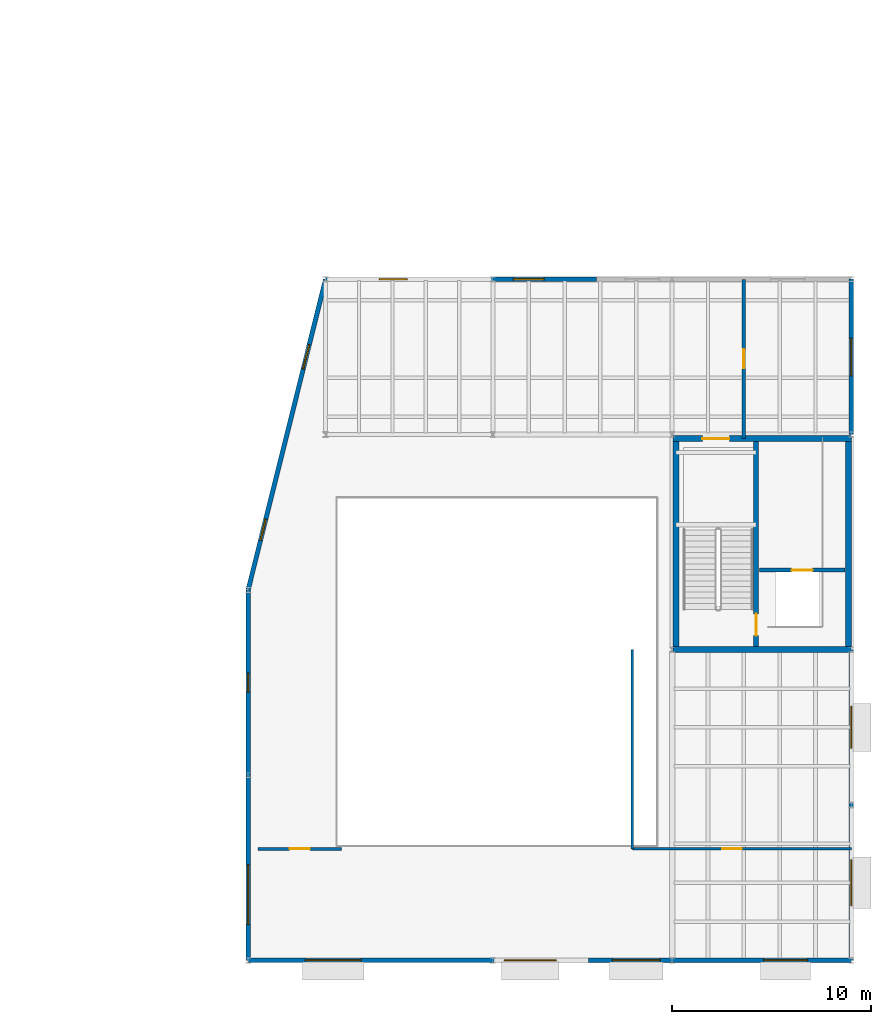
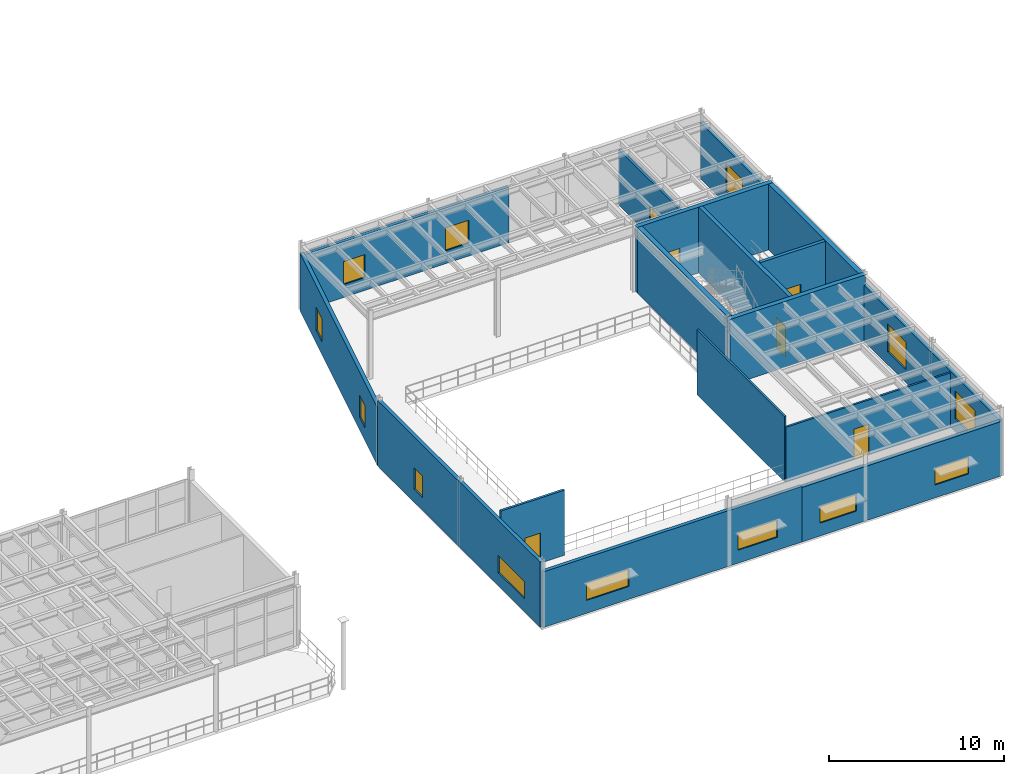
# One storey, part 91 of 105: 17 walls, 13 windows, 6 doors, 19 openings.
"""IFC4 building model written with IfcOpenShell, lengths in metres."""

import ifcopenshell
import ifcopenshell.guid

model = None  # the IFC model being written
_history = None  # IfcOwnerHistory: only IFC2X3 demands one
_inside = {}  # id of a spatial element -> (the spatial element, [elements in it])
_under = {}  # id of a project, library or spatial element -> (it, [spatial elements below it])
_declared = {}  # id of a project -> (the project, [libraries it declares])
_typed = {}  # id of a type object -> (the type object, [elements of that type])
_made_of = {}  # id of a material, layer set ... -> (it, [elements and type objects made of it])


def new_model(schema):
    """Start an empty IFC model of exactly this schema.

    Asked for "IFC4X3", IfcOpenShell would pick the latest addendum, in which some entities
    have other attributes; the version numbers below select the first issue.
    IFC2X3 requires an IfcOwnerHistory on every rooted entity: one is made here for all.
    """
    global model, _history
    if schema == "IFC4X3":
        model = ifcopenshell.file(schema_version=(4, 3, 0, 0))
    else:
        model = ifcopenshell.file(schema=schema)
    _inside.clear()
    _under.clear()
    _declared.clear()
    _typed.clear()
    _made_of.clear()
    _history = None
    if model.schema == "IFC2X3":
        org = make("IfcOrganization", Name="unknown")
        user = make(
            "IfcPersonAndOrganization",
            ThePerson=make("IfcPerson", FamilyName="unknown"),
            TheOrganization=org,
        )
        app = make(
            "IfcApplication",
            ApplicationDeveloper=org,
            Version="unknown",
            ApplicationFullName="unknown",
            ApplicationIdentifier="unknown",
        )
        _history = make(
            "IfcOwnerHistory",
            OwningUser=user,
            OwningApplication=app,
            ChangeAction="ADDED",
            CreationDate=0,
        )
    return model


def make(cls, **values):
    """One entity of the class cls with the attributes given. An attribute that is None is left unset."""
    return model.create_entity(
        cls, **{name: value for name, value in values.items() if value is not None}
    )


def rooted(cls, **values):
    """An entity with a GlobalId (a new one), such as an element, a storey or a relation."""
    return make(cls, GlobalId=ifcopenshell.guid.new(), OwnerHistory=_history, **values)


def si_unit(unit_type, name, prefix=None):
    """IfcSIUnit, for example si_unit("LENGTHUNIT", "METRE", prefix="MILLI")."""
    return make("IfcSIUnit", UnitType=unit_type, Prefix=prefix, Name=name)


def assignment(units):
    """IfcUnitAssignment: the units of a project."""
    return None if units is None else make("IfcUnitAssignment", Units=units)


def point(xyz):
    """IfcCartesianPoint."""
    return None if xyz is None else make("IfcCartesianPoint", Coordinates=xyz)


def direction(xyz):
    """IfcDirection."""
    return None if xyz is None else make("IfcDirection", DirectionRatios=xyz)


def frame(location, z_axis=None, x_axis=None):
    """IfcAxis2Placement3D, a coordinate frame: its origin and axes. An axis left out is left unset."""
    return make(
        "IfcAxis2Placement3D",
        Location=point(location),
        Axis=direction(z_axis),
        RefDirection=direction(x_axis),
    )


def frame_2d(location, x_axis=None):
    """IfcAxis2Placement2D, a coordinate frame in the plane: its origin and x axis."""
    return make(
        "IfcAxis2Placement2D", Location=point(location), RefDirection=direction(x_axis)
    )


def origin():
    """The frame at (0, 0, 0) with its axes left unset."""
    return frame((0.0, 0.0, 0.0))


def place(relative_to, where):
    """IfcLocalPlacement: puts the frame where relative to a parent placement (None: the world)."""
    return make(
        "IfcLocalPlacement", PlacementRelTo=relative_to, RelativePlacement=where
    )


def context(
    kind, dimensions, precision=None, world=None, true_north=None, identifier=None
):
    """IfcGeometricRepresentationContext, for example the 3D "Model" context."""
    return make(
        "IfcGeometricRepresentationContext",
        ContextIdentifier=identifier,
        ContextType=kind,
        CoordinateSpaceDimension=dimensions,
        Precision=precision,
        WorldCoordinateSystem=world,
        TrueNorth=true_north,
    )


def subcontext(parent, identifier, kind, view, scale=None):
    """IfcGeometricRepresentationSubContext, for example "Body" below "Model"."""
    return make(
        "IfcGeometricRepresentationSubContext",
        ContextIdentifier=identifier,
        ContextType=kind,
        ParentContext=parent,
        TargetScale=scale,
        TargetView=view,
    )


def project(units=None, contexts=None):
    """IfcProject with its units and contexts."""
    return rooted(
        "IfcProject",
        Name="project",
        RepresentationContexts=contexts,
        UnitsInContext=assignment(units),
    )


def spatial(cls, under=None, at=None, **own):
    """A site, building, storey or space (cls), placed at a placement, below another one or the project."""
    s = rooted(cls, ObjectPlacement=at, **own)
    if under is not None:
        _under.setdefault(under.id(), (under, []))[1].append(s)
    return s


def profile(cls, at=None, kind="AREA", **sizes):
    """A parametric profile (cls). Its sizes go by their IFC names, for example OverallWidth=200.0."""
    return make(cls, ProfileType=kind, Position=at, **sizes)


def rectangle(**sizes):
    """IfcRectangleProfileDef."""
    return profile("IfcRectangleProfileDef", **sizes)


def extrude(swept, where, along, depth):
    """IfcExtrudedAreaSolid: the profile swept, set in the frame where, extruded along a direction by depth."""
    return make(
        "IfcExtrudedAreaSolid",
        SweptArea=swept,
        Position=where,
        ExtrudedDirection=direction(along),
        Depth=depth,
    )


def shape(context_of_items, identifier, shape_type, items):
    """IfcShapeRepresentation: the items that make up one representation, for example the "Body"."""
    return make(
        "IfcShapeRepresentation",
        ContextOfItems=context_of_items,
        RepresentationIdentifier=identifier,
        RepresentationType=shape_type,
        Items=items,
    )


def material(Name=None, Category=None):
    """IfcMaterial."""
    return make("IfcMaterial", Name=Name, Category=Category)


def layer(
    of_material, thickness, ventilated=None, Name=None, Category=None, Priority=None
):
    """IfcMaterialLayer: one layer of a wall or slab, of a material (None: an air gap)."""
    return make(
        "IfcMaterialLayer",
        Material=of_material,
        LayerThickness=thickness,
        IsVentilated=ventilated,
        Name=Name,
        Category=Category,
        Priority=Priority,
    )


def layer_set(layers, Name=None):
    """IfcMaterialLayerSet."""
    return make("IfcMaterialLayerSet", MaterialLayers=layers, LayerSetName=Name)


def made_of(thing, what):
    """Note that an element or type object is made of a material, layer set ...; save() writes the relation."""
    if what is not None:
        _made_of.setdefault(what.id(), (what, []))[1].append(thing)
    return thing


def type_object(cls, material=None, **own):
    """A type object (cls), such as IfcWallType, which elements share."""
    return made_of(rooted(cls, **own), material)


def element(
    cls,
    number,
    at=None,
    inside=None,
    cuts=None,
    type_object=None,
    material=None,
    context=None,
    identifier="Body",
    shape_type=None,
    held_by="IfcProductDefinitionShape",
    body=None,
    shapes=None,
    **own,
):
    """One element of the class cls, such as IfcWall. Its Tag is "e" and its number.

    at: its placement. inside: the storey or other place that contains it. cuts: it is an
    opening in that element (IfcRelVoidsElement). A single representation is given by context,
    identifier, shape_type and body (its items); several are given by shapes. held_by: the class
    of the entity that holds the representations. save() writes the other relations.
    """
    e = rooted(cls, Tag="e%d" % number, ObjectPlacement=at, **own)
    if body is not None:
        shapes = [shape(context, identifier, shape_type, body)]
    if shapes is not None:
        e.Representation = make(held_by, Representations=shapes)
    if inside is not None:
        _inside.setdefault(inside.id(), (inside, []))[1].append(e)
    if cuts is not None:
        rooted(
            "IfcRelVoidsElement", RelatingBuildingElement=cuts, RelatedOpeningElement=e
        )
    if type_object is not None:
        _typed.setdefault(type_object.id(), (type_object, []))[1].append(e)
    return made_of(e, material)


def fill(opening, filler):
    """IfcRelFillsElement: the door or window that sits in an opening."""
    return rooted(
        "IfcRelFillsElement",
        RelatingOpeningElement=opening,
        RelatedBuildingElement=filler,
    )


def aggregate(whole, parts):
    """IfcRelAggregates: a whole, such as a stair, and the parts it consists of."""
    return rooted("IfcRelAggregates", RelatingObject=whole, RelatedObjects=parts)


def save(model, path):
    """Write the relations noted so far, then the file.

    IfcRelAggregates (storeys below a building ...), IfcRelContainedInSpatialStructure (elements
    in a storey), IfcRelDefinesByType, IfcRelAssociatesMaterial and IfcRelDeclares: one each for
    every whole, place, type object, material and project.
    """
    for whole, parts in _under.values():
        aggregate(whole, parts)
    for where, things in _inside.values():
        rooted(
            "IfcRelContainedInSpatialStructure",
            RelatedElements=things,
            RelatingStructure=where,
        )
    for kind, things in _typed.values():
        rooted("IfcRelDefinesByType", RelatedObjects=things, RelatingType=kind)
    for what, things in _made_of.values():
        rooted("IfcRelAssociatesMaterial", RelatedObjects=things, RelatingMaterial=what)
    for by, libraries in _declared.values():
        rooted("IfcRelDeclares", RelatingContext=by, RelatedDefinitions=libraries)
    model.write(path)


model = new_model("IFC4")

# Units and contexts
model_context = context("Model", 3, precision=1e-05, world=origin(), true_north=direction((0.0, 1.0)))
body_context = subcontext(model_context, "Body", "Model", "MODEL_VIEW")
ifc_project = project(units=[si_unit("LENGTHUNIT", "METRE"), si_unit("AREAUNIT", "SQUARE_METRE"), si_unit("VOLUMEUNIT", "CUBIC_METRE"), si_unit("PLANEANGLEUNIT", "RADIAN"), si_unit("MASSUNIT", "GRAM", prefix="KILO")], contexts=[model_context])

# Site, building, storey
site_placement = place(None, origin())
site = spatial("IfcSite", under=ifc_project, at=site_placement, CompositionType="ELEMENT")
building_placement = place(site_placement, origin())
building = spatial("IfcBuilding", under=site, at=building_placement, Name="Selat Folded Stagehouse", CompositionType="ELEMENT")
storey_placement = place(building_placement, frame((0.0, 0.0, 10.199951171875)))
storey = spatial("IfcBuildingStorey", under=building, at=storey_placement, Name="L02", CompositionType="ELEMENT", Elevation=10.199951171875)

# Wall, opening, door
ifc_material_1 = material(Name="Concrete C40/50", Category="concrete")
ifc_layer_1 = layer(ifc_material_1, 0.215087890625)
ifc_layer_set_1 = layer_set([ifc_layer_1], Name="Concrete C40/50")
wall_type_1 = type_object("IfcWallType", Name="WAL-COMP-215", PredefinedType="STANDARD", material=ifc_layer_set_1)
wall_1_placement = place(storey_placement, frame((156.179931640625, 19.60009765625, 0.0), z_axis=(0.0, 0.0, 1.0), x_axis=(1.0, 0.0, 0.0)))
wall_1 = element("IfcWall", 1, at=wall_1_placement, inside=storey, type_object=wall_type_1, Name="L02 PL-03 lift shaft front wall", PredefinedType="STANDARD", context=body_context, shape_type="SweptSolid", body=[
    extrude(rectangle(XDim=4.300048828125, YDim=0.215087890625, at=frame_2d((2.14990234375, 0.0))), origin(), (0.0, 0.0, 1.0), 4.592041015625),
])
opening_1_placement = place(wall_1_placement, frame((1.625, 0.0, 0.0)))
opening_1 = element("IfcOpeningElement", 2, at=opening_1_placement, cuts=wall_1, Name="Opening LD-03", PredefinedType="OPENING", context=body_context, shape_type="SweptSolid", body=[
    extrude(rectangle(XDim=1.050048828125, YDim=2.14990234375, at=frame_2d((0.52490234375, 1.074951171875))), frame((0.0, 0.117431640625, 0.0), z_axis=(0.0, -1.0, 0.0), x_axis=(1.0, 0.0, 0.0)), (0.0, 0.0, 1.0), 0.235107421875),
])
ifc_material_2 = material(Name="Passenger lift stainless sliding landing door", Category="wood")
door_type_1 = type_object("IfcDoorType", Name="DOR-LFT-1050", OperationType="NOTDEFINED", PredefinedType="DOOR", material=ifc_material_2)
door_1_placement = place(opening_1_placement, origin())
door_1 = element("IfcDoor", 3, at=door_1_placement, inside=storey, type_object=door_type_1, Name="L02 PL-03 lift sliding landing door", OperationType="SLIDING_TO_LEFT", OverallHeight=2.14990234375, OverallWidth=1.050048828125, PredefinedType="DOOR", context=body_context, shape_type="SweptSolid", body=[
    extrude(rectangle(XDim=1.050048828125, YDim=2.14990234375, at=frame_2d((0.52490234375, 1.074951171875))), frame((0.0, 0.02490234375, 0.0), z_axis=(0.0, -1.0, 0.0), x_axis=(1.0, 0.0, 0.0)), (0.0, 0.0, 1.0), 0.050048828125),
])
fill(opening_1, door_1)

ifc_material_3 = material(Name="Concrete C50/60", Category="concrete")
ifc_layer_2 = layer(ifc_material_3, 0.25)
ifc_layer_set_2 = layer_set([ifc_layer_2], Name="Concrete C50/60")
wall_type_2 = type_object("IfcWallType", Name="WAL-CORE-250", PredefinedType="SHEAR", material=ifc_layer_set_2)
wall_2_placement = place(storey_placement, frame((156.02001953125, 26.050048828125, 0.0), z_axis=(0.0, 0.0, 1.0), x_axis=(0.0, -1.0, 0.0)))
wall_2 = element("IfcWall", 4, at=wall_2_placement, inside=storey, type_object=wall_type_2, Name="L02 CR-4 internal core divider wall", PredefinedType="SHEAR", context=body_context, shape_type="SweptSolid", body=[
    extrude(rectangle(XDim=10.300048828125, YDim=0.25, at=frame_2d((5.14990234375, 0.0))), origin(), (0.0, 0.0, 1.0), 4.60009765625),
])
opening_2_placement = place(wall_2_placement, frame((8.64990234375, 0.0, 0.0)))
opening_2 = element("IfcOpeningElement", 5, at=opening_2_placement, cuts=wall_2, Name="Opening FD-60", PredefinedType="OPENING", context=body_context, shape_type="SweptSolid", body=[
    extrude(rectangle(XDim=1.10009765625, YDim=2.14990234375, at=frame_2d((0.550048828125, 1.074951171875))), frame((0.0, 0.135009765625, 0.0), z_axis=(0.0, -1.0, 0.0), x_axis=(1.0, 0.0, 0.0)), (0.0, 0.0, 1.0), 0.27001953125),
])
ifc_material_4 = material(Name="Fire-rated timber core door", Category="wood")
door_type_2 = type_object("IfcDoorType", Name="DOR-FIRE-60", OperationType="NOTDEFINED", PredefinedType="DOOR", material=ifc_material_4)
door_2_placement = place(opening_2_placement, origin())
door_2 = element("IfcDoor", 6, at=door_2_placement, inside=storey, type_object=door_type_2, Name="L02 CR-4 protected stair fire door", OperationType="SINGLE_SWING_LEFT", OverallHeight=2.14990234375, OverallWidth=1.10009765625, PredefinedType="DOOR", context=body_context, shape_type="SweptSolid", body=[
    extrude(rectangle(XDim=1.10009765625, YDim=2.14990234375, at=frame_2d((0.550048828125, 1.074951171875))), frame((0.0, 0.02490234375, 0.0), z_axis=(0.0, -1.0, 0.0), x_axis=(1.0, 0.0, 0.0)), (0.0, 0.0, 1.0), 0.050048828125),
])
fill(opening_2, door_2)

# Wall, openings, windows
ifc_material_5 = material(Name="Precast concrete C40/50", Category="concrete")
ifc_layer_3 = layer(ifc_material_5, 0.22998046875)
ifc_layer_set_3 = layer_set([ifc_layer_3], Name="Precast concrete C40/50")
wall_type_3 = type_object("IfcWallType", Name="WAL-EXT-230", PredefinedType="STANDARD", material=ifc_layer_set_3)
wall_3_placement = place(storey_placement, frame((160.800048828125, 0.0, 0.0), z_axis=(0.0, 0.0, 1.0), x_axis=(-1.0, 0.0, 0.0)))
wall_3 = element("IfcWall", 7, at=wall_3_placement, inside=storey, type_object=wall_type_3, Name="L02 exterior facade wall EW-L02-V3S-1", PredefinedType="STANDARD", context=body_context, shape_type="SweptSolid", body=[
    extrude(rectangle(XDim=13.199951171875, YDim=0.22998046875, at=frame_2d((6.60009765625, 0.0))), origin(), (0.0, 0.0, 1.0), 3.80224609375),
])
opening_3_placement = place(wall_3_placement, frame((2.199951171875, 0.0, 0.89990234375)))
opening_3 = element("IfcOpeningElement", 8, at=opening_3_placement, cuts=wall_3, Name="Opening WN-13", PredefinedType="OPENING", context=body_context, shape_type="SweptSolid", body=[
    extrude(rectangle(XDim=2.199951171875, YDim=1.14990234375, at=frame_2d((1.10009765625, 0.574951171875))), frame((0.0, 0.125, 0.0), z_axis=(0.0, -1.0, 0.0), x_axis=(1.0, 0.0, 0.0)), (0.0, 0.0, 1.0), 0.25),
])
opening_4_placement = place(wall_3_placement, frame((9.60009765625, 0.0, 0.89990234375)))
opening_4 = element("IfcOpeningElement", 9, at=opening_4_placement, cuts=wall_3, Name="Opening WN-12", PredefinedType="OPENING", context=body_context, shape_type="SweptSolid", body=[
    extrude(rectangle(XDim=2.39990234375, YDim=1.14990234375, at=frame_2d((1.199951171875, 0.574951171875))), frame((0.0, 0.125, 0.0), z_axis=(0.0, -1.0, 0.0), x_axis=(1.0, 0.0, 0.0)), (0.0, 0.0, 1.0), 0.25),
])
ifc_material_6 = material(Name="Thermally broken aluminium and acoustic low-E glass", Category="aluminium")
window_type_1 = type_object("IfcWindowType", Name="WIN-CL-2200x1150", PartitioningType="SINGLE_PANEL", PredefinedType="WINDOW", material=ifc_material_6)
window_1_placement = place(opening_3_placement, origin())
window_1 = element("IfcWindow", 10, at=window_1_placement, inside=storey, type_object=window_type_1, Name="L02 exterior window EW-L02-V3S-1-1", OverallHeight=1.14990234375, OverallWidth=2.199951171875, PartitioningType="SINGLE_PANEL", PredefinedType="WINDOW", context=body_context, shape_type="SweptSolid", body=[
    extrude(rectangle(XDim=2.199951171875, YDim=1.14990234375, at=frame_2d((1.10009765625, 0.574951171875))), frame((0.0, 0.030029296875, 0.0), z_axis=(0.0, -1.0, 0.0), x_axis=(1.0, 0.0, 0.0)), (0.0, 0.0, 1.0), 0.06005859375),
])
fill(opening_3, window_1)
window_type_2 = type_object("IfcWindowType", Name="WIN-CL-2400x1150", PartitioningType="SINGLE_PANEL", PredefinedType="WINDOW", material=ifc_material_6)
window_2_placement = place(opening_4_placement, origin())
window_2 = element("IfcWindow", 11, at=window_2_placement, inside=storey, type_object=window_type_2, Name="L02 exterior window EW-L02-V3S-1-2", OverallHeight=1.14990234375, OverallWidth=2.39990234375, PartitioningType="SINGLE_PANEL", PredefinedType="WINDOW", context=body_context, shape_type="SweptSolid", body=[
    extrude(rectangle(XDim=2.39990234375, YDim=1.14990234375, at=frame_2d((1.199951171875, 0.574951171875))), frame((0.0, 0.030029296875, 0.0), z_axis=(0.0, -1.0, 0.0), x_axis=(1.0, 0.0, 0.0)), (0.0, 0.0, 1.0), 0.06005859375),
])
fill(opening_4, window_2)

wall_4_placement = place(storey_placement, frame((147.60009765625, 0.0, 0.0), z_axis=(0.0, 0.0, 1.0), x_axis=(-1.0, 0.0, 0.0)))
wall_4 = element("IfcWall", 12, at=wall_4_placement, inside=storey, type_object=wall_type_3, Name="L02 exterior facade wall EW-L02-V3S-2", PredefinedType="STANDARD", context=body_context, shape_type="SweptSolid", body=[
    extrude(rectangle(XDim=17.089599609375, YDim=0.22998046875, at=frame_2d((8.544921875, 0.0))), origin(), (0.0, 0.0, 1.0), 3.888671875),
])
opening_5_placement = place(wall_4_placement, frame((1.622314453125, 0.0, 0.89990234375)))
opening_5 = element("IfcOpeningElement", 13, at=opening_5_placement, cuts=wall_4, Name="Opening WN-11", PredefinedType="OPENING", context=body_context, shape_type="SweptSolid", body=[
    extrude(rectangle(XDim=2.60009765625, YDim=1.199951171875, at=frame_2d((1.300048828125, 0.60009765625))), frame((0.0, 0.125, 0.0), z_axis=(0.0, -1.0, 0.0), x_axis=(1.0, 0.0, 0.0)), (0.0, 0.0, 1.0), 0.25),
])
opening_6_placement = place(wall_4_placement, frame((11.4169921875, 0.0, 0.89990234375)))
opening_6 = element("IfcOpeningElement", 14, at=opening_6_placement, cuts=wall_4, Name="Opening WN-10", PredefinedType="OPENING", context=body_context, shape_type="SweptSolid", body=[
    extrude(rectangle(XDim=2.800048828125, YDim=1.199951171875, at=frame_2d((1.39990234375, 0.60009765625))), frame((0.0, 0.125, 0.0), z_axis=(0.0, -1.0, 0.0), x_axis=(1.0, 0.0, 0.0)), (0.0, 0.0, 1.0), 0.25),
])
window_type_3 = type_object("IfcWindowType", Name="WIN-CL-2600x1200", PartitioningType="SINGLE_PANEL", PredefinedType="WINDOW", material=ifc_material_6)
window_3_placement = place(opening_5_placement, origin())
window_3 = element("IfcWindow", 15, at=window_3_placement, inside=storey, type_object=window_type_3, Name="L02 exterior window EW-L02-V3S-2-1", OverallHeight=1.199951171875, OverallWidth=2.60009765625, PartitioningType="SINGLE_PANEL", PredefinedType="WINDOW", context=body_context, shape_type="SweptSolid", body=[
    extrude(rectangle(XDim=2.60009765625, YDim=1.199951171875, at=frame_2d((1.300048828125, 0.60009765625))), frame((0.0, 0.030029296875, 0.0), z_axis=(0.0, -1.0, 0.0), x_axis=(1.0, 0.0, 0.0)), (0.0, 0.0, 1.0), 0.06005859375),
])
fill(opening_5, window_3)
window_type_4 = type_object("IfcWindowType", Name="WIN-CL-2800x1200", PartitioningType="SINGLE_PANEL", PredefinedType="WINDOW", material=ifc_material_6)
window_4_placement = place(opening_6_placement, origin())
window_4 = element("IfcWindow", 16, at=window_4_placement, inside=storey, type_object=window_type_4, Name="L02 exterior window EW-L02-V3S-2-2", OverallHeight=1.199951171875, OverallWidth=2.800048828125, PartitioningType="SINGLE_PANEL", PredefinedType="WINDOW", context=body_context, shape_type="SweptSolid", body=[
    extrude(rectangle(XDim=2.800048828125, YDim=1.199951171875, at=frame_2d((1.39990234375, 0.60009765625))), frame((0.0, 0.030029296875, 0.0), z_axis=(0.0, -1.0, 0.0), x_axis=(1.0, 0.0, 0.0)), (0.0, 0.0, 1.0), 0.06005859375),
])
fill(opening_6, window_4)

wall_5_placement = place(storey_placement, frame((130.510498046875, 0.0, 0.0), z_axis=(0.0, 0.0, 1.0), x_axis=(0.0, 1.0, 0.0)))
wall_5 = element("IfcWall", 17, at=wall_5_placement, inside=storey, type_object=wall_type_3, Name="L02 exterior facade wall EW-L02-V3W-1", PredefinedType="STANDARD", context=body_context, shape_type="SweptSolid", body=[
    extrude(rectangle(XDim=18.60009765625, YDim=0.22998046875, at=frame_2d((9.300048828125, 0.0))), origin(), (0.0, 0.0, 1.0), 4.552001953125),
])
opening_7_placement = place(wall_5_placement, frame((1.800048828125, 0.0, 0.89990234375)))
opening_7 = element("IfcOpeningElement", 18, at=opening_7_placement, cuts=wall_5, Name="Opening WN-09", PredefinedType="OPENING", context=body_context, shape_type="SweptSolid", body=[
    extrude(rectangle(XDim=3.0, YDim=1.199951171875, at=frame_2d((1.5, 0.60009765625))), frame((0.0, 0.125, 0.0), z_axis=(0.0, -1.0, 0.0), x_axis=(1.0, 0.0, 0.0)), (0.0, 0.0, 1.0), 0.25),
])
opening_8_placement = place(wall_5_placement, frame((13.47509765625, 0.0, 0.89990234375)))
opening_8 = element("IfcOpeningElement", 19, at=opening_8_placement, cuts=wall_5, Name="Opening WN-26", PredefinedType="OPENING", context=body_context, shape_type="SweptSolid", body=[
    extrude(rectangle(XDim=0.949951171875, YDim=1.5, at=frame_2d((0.47509765625, 0.75))), frame((0.0, 0.125, 0.0), z_axis=(0.0, -1.0, 0.0), x_axis=(1.0, 0.0, 0.0)), (0.0, 0.0, 1.0), 0.25),
])
window_type_5 = type_object("IfcWindowType", Name="WIN-CL-3000x1200", PartitioningType="SINGLE_PANEL", PredefinedType="WINDOW", material=ifc_material_6)
window_5_placement = place(opening_7_placement, origin())
window_5 = element("IfcWindow", 20, at=window_5_placement, inside=storey, type_object=window_type_5, Name="L02 exterior window EW-L02-V3W-1-1", OverallHeight=1.199951171875, OverallWidth=3.0, PartitioningType="SINGLE_PANEL", PredefinedType="WINDOW", context=body_context, shape_type="SweptSolid", body=[
    extrude(rectangle(XDim=3.0, YDim=1.199951171875, at=frame_2d((1.5, 0.60009765625))), frame((0.0, 0.030029296875, 0.0), z_axis=(0.0, -1.0, 0.0), x_axis=(1.0, 0.0, 0.0)), (0.0, 0.0, 1.0), 0.06005859375),
])
fill(opening_7, window_5)
window_type_6 = type_object("IfcWindowType", Name="WIN-DR-0950x1500", PartitioningType="SINGLE_PANEL", PredefinedType="WINDOW", material=ifc_material_6)
window_6_placement = place(opening_8_placement, origin())
window_6 = element("IfcWindow", 21, at=window_6_placement, inside=storey, type_object=window_type_6, Name="L02 exterior window EW-L02-V3W-1-2", OverallHeight=1.5, OverallWidth=0.949951171875, PartitioningType="SINGLE_PANEL", PredefinedType="WINDOW", context=body_context, shape_type="SweptSolid", body=[
    extrude(rectangle(XDim=0.949951171875, YDim=1.5, at=frame_2d((0.47509765625, 0.75))), frame((0.0, 0.030029296875, 0.0), z_axis=(0.0, -1.0, 0.0), x_axis=(1.0, 0.0, 0.0)), (0.0, 0.0, 1.0), 0.06005859375),
])
fill(opening_8, window_6)

wall_6_placement = place(storey_placement, frame((130.510498046875, 18.60009765625, 0.0), z_axis=(0.0, 0.0, 1.0), x_axis=(0.241917443673, 0.970296836255, 0.0)))
wall_6 = element("IfcWall", 22, at=wall_6_placement, inside=storey, type_object=wall_type_3, Name="L02 exterior facade wall EW-L02-V3W-2", PredefinedType="STANDARD", context=body_context, shape_type="SweptSolid", body=[
    extrude(rectangle(XDim=16.077392578125, YDim=0.22998046875, at=frame_2d((8.03857421875, 0.0))), origin(), (0.0, 0.0, 1.0), 4.032470703125),
])
opening_9_placement = place(wall_6_placement, frame((2.5693359375, 0.0, 0.89990234375)))
opening_9 = element("IfcOpeningElement", 23, at=opening_9_placement, cuts=wall_6, Name="Opening WN-25", PredefinedType="OPENING", context=body_context, shape_type="SweptSolid", body=[
    extrude(rectangle(XDim=1.10009765625, YDim=1.550048828125, at=frame_2d((0.550048828125, 0.77490234375))), frame((0.0, 0.125, 0.0), z_axis=(0.0, -1.0, 0.0), x_axis=(1.0, 0.0, 0.0)), (0.0, 0.0, 1.0), 0.25),
])
opening_10_placement = place(wall_6_placement, frame((11.43310546875, 0.0, 0.89990234375)))
opening_10 = element("IfcOpeningElement", 24, at=opening_10_placement, cuts=wall_6, Name="Opening WN-24", PredefinedType="OPENING", context=body_context, shape_type="SweptSolid", body=[
    extrude(rectangle(XDim=1.25, YDim=1.60009765625, at=frame_2d((0.625, 0.800048828125))), frame((0.0, 0.125, 0.0), z_axis=(0.0, -1.0, 0.0), x_axis=(1.0, 0.0, 0.0)), (0.0, 0.0, 1.0), 0.25),
])
window_type_7 = type_object("IfcWindowType", Name="WIN-DR-1100x1550", PartitioningType="SINGLE_PANEL", PredefinedType="WINDOW", material=ifc_material_6)
window_7_placement = place(opening_9_placement, origin())
window_7 = element("IfcWindow", 25, at=window_7_placement, inside=storey, type_object=window_type_7, Name="L02 exterior window EW-L02-V3W-2-1", OverallHeight=1.550048828125, OverallWidth=1.10009765625, PartitioningType="SINGLE_PANEL", PredefinedType="WINDOW", context=body_context, shape_type="SweptSolid", body=[
    extrude(rectangle(XDim=1.10009765625, YDim=1.550048828125, at=frame_2d((0.550048828125, 0.77490234375))), frame((0.0, 0.030029296875, 0.0), z_axis=(0.0, -1.0, 0.0), x_axis=(1.0, 0.0, 0.0)), (0.0, 0.0, 1.0), 0.06005859375),
])
fill(opening_9, window_7)
window_type_8 = type_object("IfcWindowType", Name="WIN-DR-1250x1600", PartitioningType="SINGLE_PANEL", PredefinedType="WINDOW", material=ifc_material_6)
window_8_placement = place(opening_10_placement, origin())
window_8 = element("IfcWindow", 26, at=window_8_placement, inside=storey, type_object=window_type_8, Name="L02 exterior window EW-L02-V3W-2-2", OverallHeight=1.60009765625, OverallWidth=1.25, PartitioningType="SINGLE_PANEL", PredefinedType="WINDOW", context=body_context, shape_type="SweptSolid", body=[
    extrude(rectangle(XDim=1.25, YDim=1.60009765625, at=frame_2d((0.625, 0.800048828125))), frame((0.0, 0.030029296875, 0.0), z_axis=(0.0, -1.0, 0.0), x_axis=(1.0, 0.0, 0.0)), (0.0, 0.0, 1.0), 0.06005859375),
])
fill(opening_10, window_8)

wall_7_placement = place(storey_placement, frame((134.39990234375, 34.199951171875, 0.0), z_axis=(0.0, 0.0, 1.0), x_axis=(1.0, 0.0, 0.0)))
wall_7 = element("IfcWall", 27, at=wall_7_placement, inside=storey, type_object=wall_type_3, Name="L02 exterior facade wall EW-L02-V3N-1", PredefinedType="STANDARD", context=body_context, shape_type="SweptSolid", body=[
    extrude(rectangle(XDim=13.60009765625, YDim=0.22998046875, at=frame_2d((6.800048828125, 0.0))), origin(), (0.0, 0.0, 1.0), 3.888671875),
])
opening_11_placement = place(wall_7_placement, frame((2.699951171875, 0.0, 0.89990234375)))
opening_11 = element("IfcOpeningElement", 28, at=opening_11_placement, cuts=wall_7, Name="Opening WN-23", PredefinedType="OPENING", context=body_context, shape_type="SweptSolid", body=[
    extrude(rectangle(XDim=1.39990234375, YDim=1.60009765625, at=frame_2d((0.699951171875, 0.800048828125))), frame((0.0, 0.125, 0.0), z_axis=(0.0, -1.0, 0.0), x_axis=(1.0, 0.0, 0.0)), (0.0, 0.0, 1.0), 0.25),
])
opening_12_placement = place(wall_7_placement, frame((9.425048828125, 0.0, 0.89990234375)))
opening_12 = element("IfcOpeningElement", 29, at=opening_12_placement, cuts=wall_7, Name="Opening WN-22", PredefinedType="OPENING", context=body_context, shape_type="SweptSolid", body=[
    extrude(rectangle(XDim=1.550048828125, YDim=1.60009765625, at=frame_2d((0.77490234375, 0.800048828125))), frame((0.0, 0.125, 0.0), z_axis=(0.0, -1.0, 0.0), x_axis=(1.0, 0.0, 0.0)), (0.0, 0.0, 1.0), 0.25),
])
window_type_9 = type_object("IfcWindowType", Name="WIN-DR-1400x1600", PartitioningType="SINGLE_PANEL", PredefinedType="WINDOW", material=ifc_material_6)
window_9_placement = place(opening_11_placement, origin())
window_9 = element("IfcWindow", 30, at=window_9_placement, inside=storey, type_object=window_type_9, Name="L02 exterior window EW-L02-V3N-1-1", OverallHeight=1.60009765625, OverallWidth=1.39990234375, PartitioningType="SINGLE_PANEL", PredefinedType="WINDOW", context=body_context, shape_type="SweptSolid", body=[
    extrude(rectangle(XDim=1.39990234375, YDim=1.60009765625, at=frame_2d((0.699951171875, 0.800048828125))), frame((0.0, 0.030029296875, 0.0), z_axis=(0.0, -1.0, 0.0), x_axis=(1.0, 0.0, 0.0)), (0.0, 0.0, 1.0), 0.06005859375),
])
fill(opening_11, window_9)
window_type_10 = type_object("IfcWindowType", Name="WIN-DR-1550x1600", PartitioningType="SINGLE_PANEL", PredefinedType="WINDOW", material=ifc_material_6)
window_10_placement = place(opening_12_placement, origin())
window_10 = element("IfcWindow", 31, at=window_10_placement, inside=storey, type_object=window_type_10, Name="L02 exterior window EW-L02-V3N-1-2", OverallHeight=1.60009765625, OverallWidth=1.550048828125, PartitioningType="SINGLE_PANEL", PredefinedType="WINDOW", context=body_context, shape_type="SweptSolid", body=[
    extrude(rectangle(XDim=1.550048828125, YDim=1.60009765625, at=frame_2d((0.77490234375, 0.800048828125))), frame((0.0, 0.030029296875, 0.0), z_axis=(0.0, -1.0, 0.0), x_axis=(1.0, 0.0, 0.0)), (0.0, 0.0, 1.0), 0.06005859375),
])
fill(opening_12, window_10)

# Wall, opening, window
wall_8_placement = place(storey_placement, frame((160.800048828125, 34.199951171875, 0.0), z_axis=(0.0, 0.0, 1.0), x_axis=(0.0, -1.0, 0.0)))
wall_8 = element("IfcWall", 32, at=wall_8_placement, inside=storey, type_object=wall_type_3, Name="L02 exterior facade wall EW-L02-V3E-1", PredefinedType="STANDARD", context=body_context, shape_type="SweptSolid", body=[
    extrude(rectangle(XDim=7.800048828125, YDim=0.22998046875, at=frame_2d((3.89990234375, 0.0))), origin(), (0.0, 0.0, 1.0), 3.888671875),
])
opening_13_placement = place(wall_8_placement, frame((2.949951171875, 0.0, 0.89990234375)))
opening_13 = element("IfcOpeningElement", 33, at=opening_13_placement, cuts=wall_8, Name="Opening WN-31", PredefinedType="OPENING", context=body_context, shape_type="SweptSolid", body=[
    extrude(rectangle(XDim=1.89990234375, YDim=1.949951171875, at=frame_2d((0.949951171875, 0.97509765625))), frame((0.0, 0.125, 0.0), z_axis=(0.0, -1.0, 0.0), x_axis=(1.0, 0.0, 0.0)), (0.0, 0.0, 1.0), 0.25),
])
window_type_11 = type_object("IfcWindowType", Name="WIN-ED-1900x1950", PartitioningType="SINGLE_PANEL", PredefinedType="WINDOW", material=ifc_material_6)
window_11_placement = place(opening_13_placement, origin())
window_11 = element("IfcWindow", 34, at=window_11_placement, inside=storey, type_object=window_type_11, Name="L02 exterior window EW-L02-V3E-1-1", OverallHeight=1.949951171875, OverallWidth=1.89990234375, PartitioningType="SINGLE_PANEL", PredefinedType="WINDOW", context=body_context, shape_type="SweptSolid", body=[
    extrude(rectangle(XDim=1.89990234375, YDim=1.949951171875, at=frame_2d((0.949951171875, 0.97509765625))), frame((0.0, 0.030029296875, 0.0), z_axis=(0.0, -1.0, 0.0), x_axis=(1.0, 0.0, 0.0)), (0.0, 0.0, 1.0), 0.06005859375),
])
fill(opening_13, window_11)

# Wall, openings, windows
wall_9_placement = place(storey_placement, frame((160.800048828125, 15.60009765625, 0.0), z_axis=(0.0, 0.0, 1.0), x_axis=(0.0, -1.0, 0.0)))
wall_9 = element("IfcWall", 35, at=wall_9_placement, inside=storey, type_object=wall_type_3, Name="L02 exterior facade wall EW-L02-V3E-3", PredefinedType="STANDARD", context=body_context, shape_type="SweptSolid", body=[
    extrude(rectangle(XDim=15.60009765625, YDim=0.22998046875, at=frame_2d((7.800048828125, 0.0))), origin(), (0.0, 0.0, 1.0), 3.888671875),
])
opening_14_placement = place(wall_9_placement, frame((2.85009765625, 0.0, 0.89990234375)))
opening_14 = element("IfcOpeningElement", 36, at=opening_14_placement, cuts=wall_9, Name="Opening WN-30", PredefinedType="OPENING", context=body_context, shape_type="SweptSolid", body=[
    extrude(rectangle(XDim=2.10009765625, YDim=1.949951171875, at=frame_2d((1.050048828125, 0.97509765625))), frame((0.0, 0.125, 0.0), z_axis=(0.0, -1.0, 0.0), x_axis=(1.0, 0.0, 0.0)), (0.0, 0.0, 1.0), 0.25),
])
opening_15_placement = place(wall_9_placement, frame((10.550048828125, 0.0, 0.89990234375)))
opening_15 = element("IfcOpeningElement", 37, at=opening_15_placement, cuts=wall_9, Name="Opening WN-29", PredefinedType="OPENING", context=body_context, shape_type="SweptSolid", body=[
    extrude(rectangle(XDim=2.300048828125, YDim=1.949951171875, at=frame_2d((1.14990234375, 0.97509765625))), frame((0.0, 0.125, 0.0), z_axis=(0.0, -1.0, 0.0), x_axis=(1.0, 0.0, 0.0)), (0.0, 0.0, 1.0), 0.25),
])
window_type_12 = type_object("IfcWindowType", Name="WIN-ED-2100x1950", PartitioningType="SINGLE_PANEL", PredefinedType="WINDOW", material=ifc_material_6)
window_12_placement = place(opening_14_placement, origin())
window_12 = element("IfcWindow", 38, at=window_12_placement, inside=storey, type_object=window_type_12, Name="L02 exterior window EW-L02-V3E-3-1", OverallHeight=1.949951171875, OverallWidth=2.10009765625, PartitioningType="SINGLE_PANEL", PredefinedType="WINDOW", context=body_context, shape_type="SweptSolid", body=[
    extrude(rectangle(XDim=2.10009765625, YDim=1.949951171875, at=frame_2d((1.050048828125, 0.97509765625))), frame((0.0, 0.030029296875, 0.0), z_axis=(0.0, -1.0, 0.0), x_axis=(1.0, 0.0, 0.0)), (0.0, 0.0, 1.0), 0.06005859375),
])
fill(opening_14, window_12)
window_type_13 = type_object("IfcWindowType", Name="WIN-ED-2300x1950", PartitioningType="SINGLE_PANEL", PredefinedType="WINDOW", material=ifc_material_6)
window_13_placement = place(opening_15_placement, origin())
window_13 = element("IfcWindow", 39, at=window_13_placement, inside=storey, type_object=window_type_13, Name="L02 exterior window EW-L02-V3E-3-2", OverallHeight=1.949951171875, OverallWidth=2.300048828125, PartitioningType="SINGLE_PANEL", PredefinedType="WINDOW", context=body_context, shape_type="SweptSolid", body=[
    extrude(rectangle(XDim=2.300048828125, YDim=1.949951171875, at=frame_2d((1.14990234375, 0.97509765625))), frame((0.0, 0.030029296875, 0.0), z_axis=(0.0, -1.0, 0.0), x_axis=(1.0, 0.0, 0.0)), (0.0, 0.0, 1.0), 0.06005859375),
])
fill(opening_15, window_13)

# Wall, opening, door
ifc_material_7 = material(Name="Standard acoustic drywall partition", Category="gypsum")
ifc_layer_4 = layer(ifc_material_7, 0.125)
ifc_layer_set_4 = layer_set([ifc_layer_4], Name="Standard acoustic drywall partition")
wall_type_4 = type_object("IfcWallType", Name="WAL-PART-125", PredefinedType="PARTITIONING", material=ifc_layer_set_4)
wall_10_placement = place(storey_placement, frame((149.800048828125, 5.60009765625, 0.0), z_axis=(0.0, 0.0, 1.0), x_axis=(1.0, 0.0, 0.0)))
wall_10 = element("IfcWall", 40, at=wall_10_placement, inside=storey, type_object=wall_type_4, Name="L02 interior partition wall 076", PredefinedType="PARTITIONING", context=body_context, shape_type="SweptSolid", body=[
    extrude(rectangle(XDim=11.0, YDim=0.125, at=frame_2d((5.5, 0.0))), origin(), (0.0, 0.0, 1.0), 3.80224609375),
])
opening_16_placement = place(wall_10_placement, frame((4.509033203125, 0.0, 0.0)))
opening_16 = element("IfcOpeningElement", 41, at=opening_16_placement, cuts=wall_10, Name="Opening ID-02", PredefinedType="OPENING", context=body_context, shape_type="SweptSolid", body=[
    extrude(rectangle(XDim=0.97998046875, YDim=2.10009765625, at=frame_2d((0.489990234375, 1.050048828125))), frame((0.0, 0.072509765625, 0.0), z_axis=(0.0, -1.0, 0.0), x_axis=(1.0, 0.0, 0.0)), (0.0, 0.0, 1.0), 0.14501953125),
])
ifc_material_8 = material(Name="Production office timber door", Category="wood")
door_type_3 = type_object("IfcDoorType", Name="DOR-OFF-0980", OperationType="NOTDEFINED", PredefinedType="DOOR", material=ifc_material_8)
door_3_placement = place(opening_16_placement, origin())
door_3 = element("IfcDoor", 42, at=door_3_placement, inside=storey, type_object=door_type_3, Name="L02 interior door IWAL-L02-076-1", OperationType="SINGLE_SWING_LEFT", OverallHeight=2.10009765625, OverallWidth=0.97998046875, PredefinedType="DOOR", context=body_context, shape_type="SweptSolid", body=[
    extrude(rectangle(XDim=0.97998046875, YDim=2.10009765625, at=frame_2d((0.489990234375, 1.050048828125))), frame((0.0, 0.02490234375, 0.0), z_axis=(0.0, -1.0, 0.0), x_axis=(1.0, 0.0, 0.0)), (0.0, 0.0, 1.0), 0.050048828125),
])
fill(opening_16, door_3)

# Wall
wall_11_placement = place(storey_placement, frame((149.800048828125, 5.60009765625, 0.0), z_axis=(0.0, 0.0, 1.0), x_axis=(0.0, 1.0, 0.0)))
element("IfcWall", 43, at=wall_11_placement, inside=storey, type_object=wall_type_4, Name="L02 interior partition wall 077", PredefinedType="PARTITIONING", context=body_context, shape_type="SweptSolid", body=[
    extrude(rectangle(XDim=10.0, YDim=0.125, at=frame_2d((5.0, 0.0))), origin(), (0.0, 0.0, 1.0), 4.552001953125),
])

# Wall, opening, door
ifc_material_9 = material(Name="Fire-rated drywall stud partition", Category="gypsum")
ifc_layer_5 = layer(ifc_material_9, 0.14990234375)
ifc_layer_set_5 = layer_set([ifc_layer_5], Name="Fire-rated drywall stud partition")
wall_type_5 = type_object("IfcWallType", Name="WAL-PART-150", PredefinedType="PARTITIONING", material=ifc_layer_set_5)
wall_12_placement = place(storey_placement, frame((131.0, 5.60009765625, 0.0), z_axis=(0.0, 0.0, 1.0), x_axis=(1.0, 0.0, 0.0)))
wall_12 = element("IfcWall", 44, at=wall_12_placement, inside=storey, type_object=wall_type_5, Name="L02 interior partition wall 075", PredefinedType="PARTITIONING", context=body_context, shape_type="SweptSolid", body=[
    extrude(rectangle(XDim=4.199951171875, YDim=0.14990234375, at=frame_2d((2.10009765625, 0.0))), origin(), (0.0, 0.0, 1.0), 4.552001953125),
])
opening_17_placement = place(wall_12_placement, frame((1.590087890625, 0.0, 0.0)))
opening_17 = element("IfcOpeningElement", 45, at=opening_17_placement, cuts=wall_12, Name="Opening ID-01", PredefinedType="OPENING", context=body_context, shape_type="SweptSolid", body=[
    extrude(rectangle(XDim=1.02001953125, YDim=2.10009765625, at=frame_2d((0.510009765625, 1.050048828125))), frame((0.0, 0.0849609375, 0.0), z_axis=(0.0, -1.0, 0.0), x_axis=(1.0, 0.0, 0.0)), (0.0, 0.0, 1.0), 0.169921875),
])
ifc_material_10 = material(Name="Performers dressing suite door", Category="wood")
door_type_4 = type_object("IfcDoorType", Name="DOR-DRS-1020", OperationType="NOTDEFINED", PredefinedType="DOOR", material=ifc_material_10)
door_4_placement = place(opening_17_placement, origin())
door_4 = element("IfcDoor", 46, at=door_4_placement, inside=storey, type_object=door_type_4, Name="L02 interior door IWAL-L02-075-1", OperationType="SINGLE_SWING_RIGHT", OverallHeight=2.10009765625, OverallWidth=1.02001953125, PredefinedType="DOOR", context=body_context, shape_type="SweptSolid", body=[
    extrude(rectangle(XDim=1.02001953125, YDim=2.10009765625, at=frame_2d((0.510009765625, 1.050048828125))), frame((0.0, 0.02490234375, 0.0), z_axis=(0.0, -1.0, 0.0), x_axis=(1.0, 0.0, 0.0)), (0.0, 0.0, 1.0), 0.050048828125),
])
fill(opening_17, door_4)

ifc_material_11 = material(Name="Moisture-resistant sanitary service wall", Category="gypsum")
ifc_layer_6 = layer(ifc_material_11, 0.159912109375)
ifc_layer_set_6 = layer_set([ifc_layer_6], Name="Moisture-resistant sanitary service wall")
wall_type_6 = type_object("IfcWallType", Name="WAL-PLMB-160", PredefinedType="PLUMBINGWALL", material=ifc_layer_set_6)
wall_13_placement = place(storey_placement, frame((155.39990234375, 26.199951171875, 0.0), z_axis=(0.0, 0.0, 1.0), x_axis=(0.0, 1.0, 0.0)))
wall_13 = element("IfcWall", 47, at=wall_13_placement, inside=storey, type_object=wall_type_6, Name="L02 interior partition wall 078", PredefinedType="PLUMBINGWALL", context=body_context, shape_type="SweptSolid", body=[
    extrude(rectangle(XDim=8.0, YDim=0.159912109375, at=frame_2d((4.0, 0.0))), origin(), (0.0, 0.0, 1.0), 3.888671875),
])
opening_18_placement = place(wall_13_placement, frame((3.52490234375, 0.0, 0.0)))
opening_18 = element("IfcOpeningElement", 48, at=opening_18_placement, cuts=wall_13, Name="Opening ID-04", PredefinedType="OPENING", context=body_context, shape_type="SweptSolid", body=[
    extrude(rectangle(XDim=0.949951171875, YDim=2.10009765625, at=frame_2d((0.47509765625, 1.050048828125))), frame((0.0, 0.08984375, 0.0), z_axis=(0.0, -1.0, 0.0), x_axis=(1.0, 0.0, 0.0)), (0.0, 0.0, 1.0), 0.179931640625),
])
ifc_material_12 = material(Name="Accessible toilet outward-opening door", Category="wood")
door_type_5 = type_object("IfcDoorType", Name="DOR-WC-0950", OperationType="NOTDEFINED", PredefinedType="DOOR", material=ifc_material_12)
door_5_placement = place(opening_18_placement, origin())
door_5 = element("IfcDoor", 49, at=door_5_placement, inside=storey, type_object=door_type_5, Name="L02 interior door IWAL-L02-078-1", OperationType="SINGLE_SWING_RIGHT", OverallHeight=2.10009765625, OverallWidth=0.949951171875, PredefinedType="DOOR", context=body_context, shape_type="SweptSolid", body=[
    extrude(rectangle(XDim=0.949951171875, YDim=2.10009765625, at=frame_2d((0.47509765625, 1.050048828125))), frame((0.0, 0.02490234375, 0.0), z_axis=(0.0, -1.0, 0.0), x_axis=(1.0, 0.0, 0.0)), (0.0, 0.0, 1.0), 0.050048828125),
])
fill(opening_18, door_5)

# Wall
ifc_layer_7 = layer(ifc_material_3, 0.300048828125)
ifc_layer_set_7 = layer_set([ifc_layer_7], Name="Concrete C50/60")
wall_type_7 = type_object("IfcWallType", Name="WAL-SW-300", PredefinedType="SHEAR", material=ifc_layer_set_7)
wall_14_placement = place(storey_placement, frame((160.800048828125, 15.60009765625, 0.0), z_axis=(0.0, 0.0, 1.0), x_axis=(-1.0, 0.0, 0.0)))
element("IfcWall", 50, at=wall_14_placement, inside=storey, type_object=wall_type_7, Name="L02 CR-4 south shear wall", PredefinedType="SHEAR", context=body_context, shape_type="SweptSolid", body=[
    extrude(rectangle(XDim=8.949951171875, YDim=0.300048828125, at=frame_2d((4.47509765625, 0.0))), origin(), (0.0, 0.0, 1.0), 4.60009765625),
])

# Wall, opening, door
wall_15_placement = place(storey_placement, frame((151.85009765625, 26.199951171875, 0.0), z_axis=(0.0, 0.0, 1.0), x_axis=(1.0, 0.0, 0.0)))
wall_15 = element("IfcWall", 51, at=wall_15_placement, inside=storey, type_object=wall_type_7, Name="L02 CR-4 north shear wall", PredefinedType="SHEAR", context=body_context, shape_type="SweptSolid", body=[
    extrude(rectangle(XDim=8.949951171875, YDim=0.300048828125, at=frame_2d((4.47509765625, 0.0))), origin(), (0.0, 0.0, 1.0), 4.60009765625),
])
opening_19_placement = place(wall_15_placement, frame((1.47509765625, 0.0, 0.0)))
opening_19 = element("IfcOpeningElement", 52, at=opening_19_placement, cuts=wall_15, Name="Opening FD-60B", PredefinedType="OPENING", context=body_context, shape_type="SweptSolid", body=[
    extrude(rectangle(XDim=1.35009765625, YDim=2.14990234375, at=frame_2d((0.675048828125, 1.074951171875))), frame((0.0, 0.159912109375, 0.0), z_axis=(0.0, -1.0, 0.0), x_axis=(1.0, 0.0, 0.0)), (0.0, 0.0, 1.0), 0.320068359375),
])
ifc_material_13 = material(Name="Protected stair escape door", Category="wood")
door_type_6 = type_object("IfcDoorType", Name="DOR-STR-1350", OperationType="NOTDEFINED", PredefinedType="DOOR", material=ifc_material_13)
door_6_placement = place(opening_19_placement, origin())
door_6 = element("IfcDoor", 53, at=door_6_placement, inside=storey, type_object=door_type_6, Name="L02 CR-4 core lobby fire door", OperationType="SINGLE_SWING_RIGHT", OverallHeight=2.14990234375, OverallWidth=1.35009765625, PredefinedType="DOOR", context=body_context, shape_type="SweptSolid", body=[
    extrude(rectangle(XDim=1.35009765625, YDim=2.14990234375, at=frame_2d((0.675048828125, 1.074951171875))), frame((0.0, 0.02490234375, 0.0), z_axis=(0.0, -1.0, 0.0), x_axis=(1.0, 0.0, 0.0)), (0.0, 0.0, 1.0), 0.050048828125),
])
fill(opening_19, door_6)

# Walls
for number, where, z_axis, x_axis, name in (
    (54, (152.0, 15.75, 0.0), (0.0, 0.0, 1.0), (0.0, 1.0, 0.0), "L02 CR-4 west shear wall"),
    (55, (160.64990234375, 26.050048828125, 0.0), (0.0, 0.0, 1.0), (0.0, -1.0, 0.0), "L02 CR-4 east shear wall"),
):
    element("IfcWall", number, at=place(storey_placement, frame(where, z_axis=z_axis, x_axis=x_axis)), inside=storey, type_object=wall_type_7, Name=name, PredefinedType="SHEAR", context=body_context, shape_type="SweptSolid", body=[
        extrude(rectangle(XDim=10.300048828125, YDim=0.300048828125, at=frame_2d((5.14990234375, 0.0))), origin(), (0.0, 0.0, 1.0), 4.60009765625),
    ])

save(model, "model.ifc")
